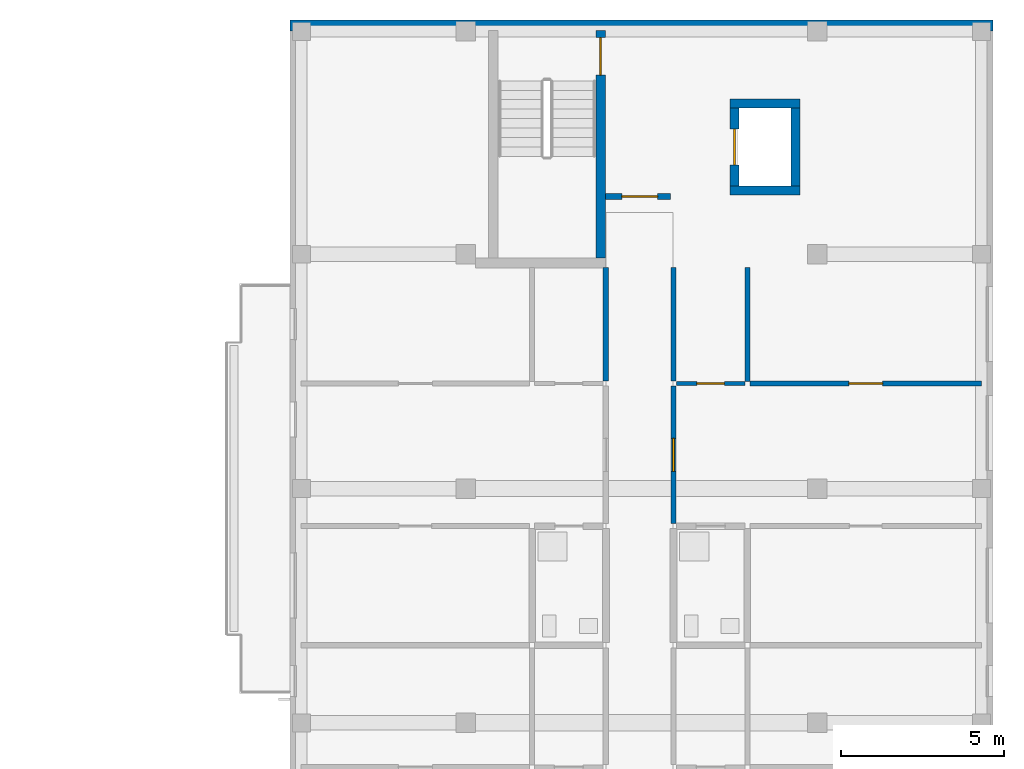
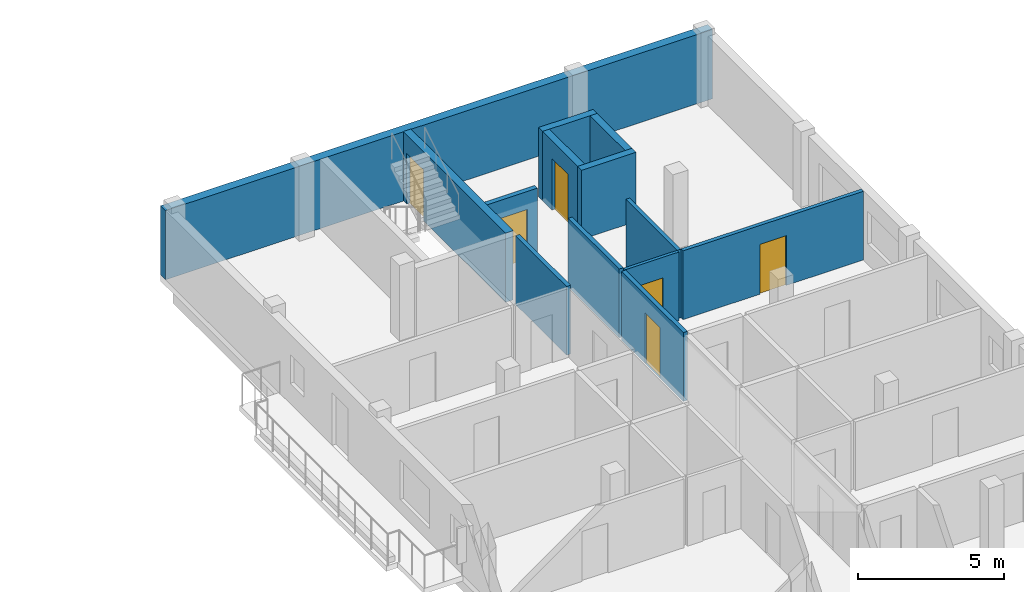
# One storey, part 26 of 41: 13 walls, 6 doors, 6 openings.
"""IFC4 building model written with IfcOpenShell, lengths in metres."""

import ifcopenshell
import ifcopenshell.guid

model = None  # the IFC model being written
_history = None  # IfcOwnerHistory: only IFC2X3 demands one
_inside = {}  # id of a spatial element -> (the spatial element, [elements in it])
_under = {}  # id of a project, library or spatial element -> (it, [spatial elements below it])
_declared = {}  # id of a project -> (the project, [libraries it declares])
_typed = {}  # id of a type object -> (the type object, [elements of that type])
_made_of = {}  # id of a material, layer set ... -> (it, [elements and type objects made of it])


def new_model(schema):
    """Start an empty IFC model of exactly this schema.

    Asked for "IFC4X3", IfcOpenShell would pick the latest addendum, in which some entities
    have other attributes; the version numbers below select the first issue.
    IFC2X3 requires an IfcOwnerHistory on every rooted entity: one is made here for all.
    """
    global model, _history
    if schema == "IFC4X3":
        model = ifcopenshell.file(schema_version=(4, 3, 0, 0))
    else:
        model = ifcopenshell.file(schema=schema)
    _inside.clear()
    _under.clear()
    _declared.clear()
    _typed.clear()
    _made_of.clear()
    _history = None
    if model.schema == "IFC2X3":
        org = make("IfcOrganization", Name="unknown")
        user = make(
            "IfcPersonAndOrganization",
            ThePerson=make("IfcPerson", FamilyName="unknown"),
            TheOrganization=org,
        )
        app = make(
            "IfcApplication",
            ApplicationDeveloper=org,
            Version="unknown",
            ApplicationFullName="unknown",
            ApplicationIdentifier="unknown",
        )
        _history = make(
            "IfcOwnerHistory",
            OwningUser=user,
            OwningApplication=app,
            ChangeAction="ADDED",
            CreationDate=0,
        )
    return model


def make(cls, **values):
    """One entity of the class cls with the attributes given. An attribute that is None is left unset."""
    return model.create_entity(
        cls, **{name: value for name, value in values.items() if value is not None}
    )


def rooted(cls, **values):
    """An entity with a GlobalId (a new one), such as an element, a storey or a relation."""
    return make(cls, GlobalId=ifcopenshell.guid.new(), OwnerHistory=_history, **values)


def si_unit(unit_type, name, prefix=None):
    """IfcSIUnit, for example si_unit("LENGTHUNIT", "METRE", prefix="MILLI")."""
    return make("IfcSIUnit", UnitType=unit_type, Prefix=prefix, Name=name)


def derived_unit(unit_type, elements):
    """IfcDerivedUnit: a product of units, each with its exponent."""
    return make(
        "IfcDerivedUnit",
        Elements=[
            make("IfcDerivedUnitElement", Unit=unit, Exponent=power)
            for unit, power in elements
        ],
        UnitType=unit_type,
    )


def assignment(units):
    """IfcUnitAssignment: the units of a project."""
    return None if units is None else make("IfcUnitAssignment", Units=units)


def point(xyz):
    """IfcCartesianPoint."""
    return None if xyz is None else make("IfcCartesianPoint", Coordinates=xyz)


def direction(xyz):
    """IfcDirection."""
    return None if xyz is None else make("IfcDirection", DirectionRatios=xyz)


def frame(location, z_axis=None, x_axis=None):
    """IfcAxis2Placement3D, a coordinate frame: its origin and axes. An axis left out is left unset."""
    return make(
        "IfcAxis2Placement3D",
        Location=point(location),
        Axis=direction(z_axis),
        RefDirection=direction(x_axis),
    )


def frame_2d(location, x_axis=None):
    """IfcAxis2Placement2D, a coordinate frame in the plane: its origin and x axis."""
    return make(
        "IfcAxis2Placement2D", Location=point(location), RefDirection=direction(x_axis)
    )


def origin():
    """The frame at (0, 0, 0) with its axes left unset."""
    return frame((0.0, 0.0, 0.0))


def place(relative_to, where):
    """IfcLocalPlacement: puts the frame where relative to a parent placement (None: the world)."""
    return make(
        "IfcLocalPlacement", PlacementRelTo=relative_to, RelativePlacement=where
    )


def context(
    kind, dimensions, precision=None, world=None, true_north=None, identifier=None
):
    """IfcGeometricRepresentationContext, for example the 3D "Model" context."""
    return make(
        "IfcGeometricRepresentationContext",
        ContextIdentifier=identifier,
        ContextType=kind,
        CoordinateSpaceDimension=dimensions,
        Precision=precision,
        WorldCoordinateSystem=world,
        TrueNorth=true_north,
    )


def subcontext(parent, identifier, kind, view, scale=None):
    """IfcGeometricRepresentationSubContext, for example "Body" below "Model"."""
    return make(
        "IfcGeometricRepresentationSubContext",
        ContextIdentifier=identifier,
        ContextType=kind,
        ParentContext=parent,
        TargetScale=scale,
        TargetView=view,
    )


def project(units=None, contexts=None):
    """IfcProject with its units and contexts."""
    return rooted(
        "IfcProject",
        Name="project",
        RepresentationContexts=contexts,
        UnitsInContext=assignment(units),
    )


def spatial(cls, under=None, at=None, **own):
    """A site, building, storey or space (cls), placed at a placement, below another one or the project."""
    s = rooted(cls, ObjectPlacement=at, **own)
    if under is not None:
        _under.setdefault(under.id(), (under, []))[1].append(s)
    return s


def profile(cls, at=None, kind="AREA", **sizes):
    """A parametric profile (cls). Its sizes go by their IFC names, for example OverallWidth=200.0."""
    return make(cls, ProfileType=kind, Position=at, **sizes)


def rectangle(**sizes):
    """IfcRectangleProfileDef."""
    return profile("IfcRectangleProfileDef", **sizes)


def extrude(swept, where, along, depth):
    """IfcExtrudedAreaSolid: the profile swept, set in the frame where, extruded along a direction by depth."""
    return make(
        "IfcExtrudedAreaSolid",
        SweptArea=swept,
        Position=where,
        ExtrudedDirection=direction(along),
        Depth=depth,
    )


def shape(context_of_items, identifier, shape_type, items):
    """IfcShapeRepresentation: the items that make up one representation, for example the "Body"."""
    return make(
        "IfcShapeRepresentation",
        ContextOfItems=context_of_items,
        RepresentationIdentifier=identifier,
        RepresentationType=shape_type,
        Items=items,
    )


def material(Name=None, Category=None):
    """IfcMaterial."""
    return make("IfcMaterial", Name=Name, Category=Category)


def layer(
    of_material, thickness, ventilated=None, Name=None, Category=None, Priority=None
):
    """IfcMaterialLayer: one layer of a wall or slab, of a material (None: an air gap)."""
    return make(
        "IfcMaterialLayer",
        Material=of_material,
        LayerThickness=thickness,
        IsVentilated=ventilated,
        Name=Name,
        Category=Category,
        Priority=Priority,
    )


def layer_set(layers, Name=None):
    """IfcMaterialLayerSet."""
    return make("IfcMaterialLayerSet", MaterialLayers=layers, LayerSetName=Name)


def made_of(thing, what):
    """Note that an element or type object is made of a material, layer set ...; save() writes the relation."""
    if what is not None:
        _made_of.setdefault(what.id(), (what, []))[1].append(thing)
    return thing


def type_object(cls, material=None, **own):
    """A type object (cls), such as IfcWallType, which elements share."""
    return made_of(rooted(cls, **own), material)


def element(
    cls,
    number,
    at=None,
    inside=None,
    cuts=None,
    type_object=None,
    material=None,
    context=None,
    identifier="Body",
    shape_type=None,
    held_by="IfcProductDefinitionShape",
    body=None,
    shapes=None,
    **own,
):
    """One element of the class cls, such as IfcWall. Its Tag is "e" and its number.

    at: its placement. inside: the storey or other place that contains it. cuts: it is an
    opening in that element (IfcRelVoidsElement). A single representation is given by context,
    identifier, shape_type and body (its items); several are given by shapes. held_by: the class
    of the entity that holds the representations. save() writes the other relations.
    """
    e = rooted(cls, Tag="e%d" % number, ObjectPlacement=at, **own)
    if body is not None:
        shapes = [shape(context, identifier, shape_type, body)]
    if shapes is not None:
        e.Representation = make(held_by, Representations=shapes)
    if inside is not None:
        _inside.setdefault(inside.id(), (inside, []))[1].append(e)
    if cuts is not None:
        rooted(
            "IfcRelVoidsElement", RelatingBuildingElement=cuts, RelatedOpeningElement=e
        )
    if type_object is not None:
        _typed.setdefault(type_object.id(), (type_object, []))[1].append(e)
    return made_of(e, material)


def fill(opening, filler):
    """IfcRelFillsElement: the door or window that sits in an opening."""
    return rooted(
        "IfcRelFillsElement",
        RelatingOpeningElement=opening,
        RelatedBuildingElement=filler,
    )


def aggregate(whole, parts):
    """IfcRelAggregates: a whole, such as a stair, and the parts it consists of."""
    return rooted("IfcRelAggregates", RelatingObject=whole, RelatedObjects=parts)


def save(model, path):
    """Write the relations noted so far, then the file.

    IfcRelAggregates (storeys below a building ...), IfcRelContainedInSpatialStructure (elements
    in a storey), IfcRelDefinesByType, IfcRelAssociatesMaterial and IfcRelDeclares: one each for
    every whole, place, type object, material and project.
    """
    for whole, parts in _under.values():
        aggregate(whole, parts)
    for where, things in _inside.values():
        rooted(
            "IfcRelContainedInSpatialStructure",
            RelatedElements=things,
            RelatingStructure=where,
        )
    for kind, things in _typed.values():
        rooted("IfcRelDefinesByType", RelatedObjects=things, RelatingType=kind)
    for what, things in _made_of.values():
        rooted("IfcRelAssociatesMaterial", RelatedObjects=things, RelatingMaterial=what)
    for by, libraries in _declared.values():
        rooted("IfcRelDeclares", RelatingContext=by, RelatedDefinitions=libraries)
    model.write(path)


model = new_model("IFC4")

# Units and contexts
model_context = context("Model", 3, precision=1e-05, world=origin(), true_north=direction((0.0, 1.0)))
body_context = subcontext(model_context, "Body", "Model", "MODEL_VIEW")
ifc_project = project(units=[si_unit("LENGTHUNIT", "METRE"), si_unit("AREAUNIT", "SQUARE_METRE"), si_unit("VOLUMEUNIT", "CUBIC_METRE"), si_unit("PLANEANGLEUNIT", "RADIAN"), si_unit("MASSUNIT", "GRAM", prefix="KILO"), derived_unit("THERMALTRANSMITTANCEUNIT", [(si_unit("MASSUNIT", "GRAM", prefix="KILO"), 1), (si_unit("TIMEUNIT", "SECOND"), -3), (si_unit("THERMODYNAMICTEMPERATUREUNIT", "KELVIN"), -1)])], contexts=[model_context])

# Site, building, storey
site_placement = place(None, origin())
site = spatial("IfcSite", under=ifc_project, at=site_placement, CompositionType="ELEMENT")
building_placement = place(site_placement, origin())
building = spatial("IfcBuilding", under=site, at=building_placement, Name="Ochrekiln Boulevard Commons", CompositionType="ELEMENT")
storey_placement = place(building_placement, frame((0.0, 0.0, 21.52490234375)))
storey = spatial("IfcBuildingStorey", under=building, at=storey_placement, Name="L06", CompositionType="ELEMENT", Elevation=21.52490234375)

# Walls
ifc_material_1 = material(Name="Iron-spot brown clinker brick masonry ASTM C216 Grade SW", Category="masonry")
ifc_layer_1 = layer(ifc_material_1, 0.340087890625)
ifc_layer_set_1 = layer_set([ifc_layer_1], Name="Iron-spot brown clinker brick masonry ASTM C216 Grade SW")
wall_type_1 = type_object("IfcWallType", Name="WL-EXT-IRON-340", PredefinedType="SOLIDWALL", material=ifc_layer_set_1)
wall_1_placement = place(storey_placement, frame((151.199951171875, 118.6298828125, 0.0), z_axis=(0.0, 0.0, 1.0), x_axis=(1.0, 0.0, 0.0)))
element("IfcWall", 1, at=wall_1_placement, inside=storey, type_object=wall_type_1, Name="Block B L06 N Exterior Wall", PredefinedType="SOLIDWALL", context=body_context, shape_type="SweptSolid", body=[
    extrude(rectangle(XDim=21.60009765625, YDim=0.340087890625, at=frame_2d((10.800048828125, 0.0))), origin(), (0.0, 0.0, 1.0), 2.89013671875),
])
ifc_material_2 = material(Name="Fire-rated Type X gypsum board on steel studs", Category="steel")
ifc_layer_2 = layer(ifc_material_2, 0.1650390625)
ifc_layer_set_2 = layer_set([ifc_layer_2], Name="Fire-rated Type X gypsum board on steel studs")
wall_type_2 = type_object("IfcWallType", Name="WL-PT-CORR-165", PredefinedType="PARTITIONING", material=ifc_layer_set_2)
wall_2_placement = place(storey_placement, frame((160.909912109375, 107.70703125, 0.0), z_axis=(0.0, 0.0, 1.0), x_axis=(0.0, 1.0, 0.0)))
element("IfcWall", 2, at=wall_2_placement, inside=storey, type_object=wall_type_2, Name="L06 Interior Wall W-PC165", PredefinedType="PARTITIONING", context=body_context, shape_type="SweptSolid", body=[
    extrude(rectangle(XDim=3.492919921875, YDim=0.1650390625, at=frame_2d((1.74658203125, 0.0))), origin(), (0.0, 0.0, 1.0), 2.8701171875),
])

# Wall, opening, door
wall_3_placement = place(storey_placement, frame((162.989990234375, 103.326904296875, 0.0), z_axis=(0.0, 0.0, 1.0), x_axis=(0.0, 1.0, 0.0)))
wall_3 = element("IfcWall", 3, at=wall_3_placement, inside=storey, type_object=wall_type_2, Name="L06 Interior Wall W-PC165", PredefinedType="PARTITIONING", context=body_context, shape_type="SweptSolid", body=[
    extrude(rectangle(XDim=4.22021484375, YDim=0.1650390625, at=frame_2d((2.110107421875, 0.0))), origin(), (0.0, 0.0, 1.0), 2.8701171875),
])
opening_1_placement = place(wall_3_placement, frame((1.60498046875, 0.0, 0.0)))
opening_1 = element("IfcOpeningElement", 4, at=opening_1_placement, cuts=wall_3, Name="Opening D-L06-819", PredefinedType="OPENING", context=body_context, shape_type="SweptSolid", body=[
    extrude(rectangle(XDim=1.010009765625, YDim=2.110107421875, at=frame_2d((0.5048828125, 1.05517578125))), frame((0.0, 0.092529296875, 0.0), z_axis=(0.0, -1.0, 0.0), x_axis=(1.0, 0.0, 0.0)), (0.0, 0.0, 1.0), 0.18505859375),
])
ifc_material_3 = material(Name="Solid core architectural oak door leaf")
door_type_1 = type_object("IfcDoorType", Name="DR-INT-APT-101", OperationType="NOTDEFINED", PredefinedType="DOOR", material=ifc_material_3)
door_1_placement = place(opening_1_placement, frame((1.010009765625, 0.0, 0.0), z_axis=(0.0, 0.0, 1.0), x_axis=(-1.0, 0.0, 0.0)))
door_1 = element("IfcDoor", 5, at=door_1_placement, inside=storey, type_object=door_type_1, Name="L06 Interior Door to Two-Bedroom Apartment Living Room", OperationType="SINGLE_SWING_LEFT", OverallHeight=2.110107421875, OverallWidth=1.010009765625, PredefinedType="DOOR", context=body_context, shape_type="SweptSolid", body=[
    extrude(rectangle(XDim=1.010009765625, YDim=2.110107421875, at=frame_2d((0.5048828125, 1.05517578125))), frame((0.0, 0.02490234375, 0.0), z_axis=(0.0, -1.0, 0.0), x_axis=(1.0, 0.0, 0.0)), (0.0, 0.0, 1.0), 0.050048828125),
])
fill(opening_1, door_1)

# Wall
wall_4_placement = place(storey_placement, frame((162.989990234375, 107.70703125, 0.0), z_axis=(0.0, 0.0, 1.0), x_axis=(0.0, 1.0, 0.0)))
element("IfcWall", 6, at=wall_4_placement, inside=storey, type_object=wall_type_2, Name="L06 Interior Wall W-PC165", PredefinedType="PARTITIONING", context=body_context, shape_type="SweptSolid", body=[
    extrude(rectangle(XDim=3.492919921875, YDim=0.1650390625, at=frame_2d((1.74658203125, 0.0))), origin(), (0.0, 0.0, 1.0), 2.8701171875),
])

# Wall, opening, door
ifc_layer_3 = layer(ifc_material_2, 0.18994140625)
ifc_layer_set_3 = layer_set([ifc_layer_3], Name="Fire-rated Type X gypsum board on steel studs")
wall_type_3 = type_object("IfcWallType", Name="WL-PT-LBY-190", PredefinedType="PARTITIONING", material=ifc_layer_set_3)
wall_5_placement = place(storey_placement, frame((160.89990234375, 113.3798828125, 0.0), z_axis=(0.0, 0.0, 1.0), x_axis=(1.0, 0.0, 0.0)))
wall_5 = element("IfcWall", 7, at=wall_5_placement, inside=storey, type_object=wall_type_3, Name="L06 Interior Wall W-PL190", PredefinedType="PARTITIONING", context=body_context, shape_type="SweptSolid", body=[
    extrude(rectangle(XDim=2.0, YDim=0.18994140625, at=frame_2d((1.0, 0.0))), origin(), (0.0, 0.0, 1.0), 2.8701171875),
])
opening_2_placement = place(wall_5_placement, frame((0.5, 0.0, 0.0)))
opening_2 = element("IfcOpeningElement", 8, at=opening_2_placement, cuts=wall_5, Name="Opening D-L06-812", PredefinedType="OPENING", context=body_context, shape_type="SweptSolid", body=[
    extrude(rectangle(XDim=1.10009765625, YDim=2.1201171875, at=frame_2d((0.550048828125, 1.06005859375))), frame((0.0, 0.10498046875, 0.0), z_axis=(0.0, -1.0, 0.0), x_axis=(1.0, 0.0, 0.0)), (0.0, 0.0, 1.0), 0.2099609375),
])
ifc_material_4 = material(Name="Hollow metal fire-rated steel door assembly", Category="steel")
door_type_2 = type_object("IfcDoorType", Name="DR-LOBBY-60", OperationType="NOTDEFINED", PredefinedType="DOOR", material=ifc_material_4)
door_2_placement = place(opening_2_placement, origin())
door_2 = element("IfcDoor", 9, at=door_2_placement, inside=storey, type_object=door_type_2, Name="L06 Interior Door to Fire Service Access Elevator Lobby", OperationType="SINGLE_SWING_RIGHT", OverallHeight=2.1201171875, OverallWidth=1.10009765625, PredefinedType="DOOR", context=body_context, shape_type="SweptSolid", body=[
    extrude(rectangle(XDim=1.10009765625, YDim=2.1201171875, at=frame_2d((0.550048828125, 1.06005859375))), frame((0.0, 0.02490234375, 0.0), z_axis=(0.0, -1.0, 0.0), x_axis=(1.0, 0.0, 0.0)), (0.0, 0.0, 1.0), 0.050048828125),
])
fill(opening_2, door_2)

ifc_layer_4 = layer(ifc_material_2, 0.1201171875)
ifc_layer_set_4 = layer_set([ifc_layer_4], Name="Fire-rated Type X gypsum board on steel studs")
wall_type_4 = type_object("IfcWallType", Name="WL-PT-LGT-120", PredefinedType="PARTITIONING", material=ifc_layer_set_4)
wall_6_placement = place(storey_placement, frame((163.072998046875, 107.626953125, 0.0), z_axis=(0.0, 0.0, 1.0), x_axis=(1.0, 0.0, 0.0)))
wall_6 = element("IfcWall", 10, at=wall_6_placement, inside=storey, type_object=wall_type_4, Name="L06 Interior Wall W-PL120", PredefinedType="PARTITIONING", context=body_context, shape_type="SweptSolid", body=[
    extrude(rectangle(XDim=2.10693359375, YDim=0.1201171875, at=frame_2d((1.053466796875, 0.0))), origin(), (0.0, 0.0, 1.0), 2.8701171875),
])
opening_3_placement = place(wall_6_placement, frame((0.632080078125, 0.0, 0.0)))
opening_3 = element("IfcOpeningElement", 11, at=opening_3_placement, cuts=wall_6, Name="Opening D-L06-841", PredefinedType="OPENING", context=body_context, shape_type="SweptSolid", body=[
    extrude(rectangle(XDim=0.85009765625, YDim=2.010009765625, at=frame_2d((0.425048828125, 1.0048828125))), frame((0.0, 0.070068359375, 0.0), z_axis=(0.0, -1.0, 0.0), x_axis=(1.0, 0.0, 0.0)), (0.0, 0.0, 1.0), 0.14013671875),
])
door_type_3 = type_object("IfcDoorType", Name="DR-INT-KIT-085", OperationType="NOTDEFINED", PredefinedType="DOOR", material=ifc_material_3)
door_3_placement = place(opening_3_placement, origin())
door_3 = element("IfcDoor", 12, at=door_3_placement, inside=storey, type_object=door_type_3, Name="L06 Interior Door to Apartment Kitchen", OperationType="SINGLE_SWING_LEFT", OverallHeight=2.010009765625, OverallWidth=0.85009765625, PredefinedType="DOOR", context=body_context, shape_type="SweptSolid", body=[
    extrude(rectangle(XDim=0.85009765625, YDim=2.010009765625, at=frame_2d((0.425048828125, 1.0048828125))), frame((0.0, 0.02490234375, 0.0), z_axis=(0.0, -1.0, 0.0), x_axis=(1.0, 0.0, 0.0)), (0.0, 0.0, 1.0), 0.050048828125),
])
fill(opening_3, door_3)

ifc_layer_5 = layer(ifc_material_2, 0.14990234375)
ifc_layer_set_5 = layer_set([ifc_layer_5], Name="Fire-rated Type X gypsum board on steel studs")
wall_type_5 = type_object("IfcWallType", Name="WL-PT-STD-150", PredefinedType="PARTITIONING", material=ifc_layer_set_5)
wall_7_placement = place(storey_placement, frame((165.340087890625, 107.626953125, 0.0), z_axis=(0.0, 0.0, 1.0), x_axis=(1.0, 0.0, 0.0)))
wall_7 = element("IfcWall", 13, at=wall_7_placement, inside=storey, type_object=wall_type_5, Name="L06 Interior Wall W-PS150", PredefinedType="PARTITIONING", context=body_context, shape_type="SweptSolid", body=[
    extrude(rectangle(XDim=7.119873046875, YDim=0.14990234375, at=frame_2d((3.56005859375, 0.0))), origin(), (0.0, 0.0, 1.0), 2.8701171875),
])
opening_4_placement = place(wall_7_placement, frame((3.034912109375, 0.0, 0.0)))
opening_4 = element("IfcOpeningElement", 14, at=opening_4_placement, cuts=wall_7, Name="Opening D-L06-843", PredefinedType="OPENING", context=body_context, shape_type="SweptSolid", body=[
    extrude(rectangle(XDim=1.0400390625, YDim=2.080078125, at=frame_2d((0.52001953125, 1.0400390625))), frame((0.0, 0.0849609375, 0.0), z_axis=(0.0, -1.0, 0.0), x_axis=(1.0, 0.0, 0.0)), (0.0, 0.0, 1.0), 0.169921875),
])
door_type_4 = type_object("IfcDoorType", Name="DR-INT-BED-104", OperationType="NOTDEFINED", PredefinedType="DOOR", material=ifc_material_3)
door_4_placement = place(opening_4_placement, origin())
door_4 = element("IfcDoor", 15, at=door_4_placement, inside=storey, type_object=door_type_4, Name="L06 Interior Door to Secondary Apartment Bedroom", OperationType="SINGLE_SWING_LEFT", OverallHeight=2.080078125, OverallWidth=1.0400390625, PredefinedType="DOOR", context=body_context, shape_type="SweptSolid", body=[
    extrude(rectangle(XDim=1.0400390625, YDim=2.080078125, at=frame_2d((0.52001953125, 1.0400390625))), frame((0.0, 0.02490234375, 0.0), z_axis=(0.0, -1.0, 0.0), x_axis=(1.0, 0.0, 0.0)), (0.0, 0.0, 1.0), 0.050048828125),
])
fill(opening_4, door_4)

# Walls
wall_8_placement = place(storey_placement, frame((165.260009765625, 107.68701171875, 0.0), z_axis=(0.0, 0.0, 1.0), x_axis=(0.0, 1.0, 0.0)))
element("IfcWall", 16, at=wall_8_placement, inside=storey, type_object=wall_type_5, Name="L06 Interior Wall W-PS150", PredefinedType="PARTITIONING", context=body_context, shape_type="SweptSolid", body=[
    extrude(rectangle(XDim=3.512939453125, YDim=0.14990234375, at=frame_2d((1.75634765625, 0.0))), origin(), (0.0, 0.0, 1.0), 2.8701171875),
])
ifc_material_5 = material(Name="Concrete C40/50", Category="concrete")
ifc_layer_6 = layer(ifc_material_5, 0.27490234375)
ifc_layer_set_6 = layer_set([ifc_layer_6], Name="Concrete C40/50")
wall_type_6 = type_object("IfcWallType", Name="WL-SH-275", PredefinedType="SHEAR", material=ifc_layer_set_6)
for number, where, z_axis, x_axis, name in (
    (17, (164.72509765625, 113.5625, 0.0), (0.0, 0.0, 1.0), (1.0, 0.0, 0.0), "Elevator FF-B2 L06 Hoistway Shear Wall"),
    (18, (164.72509765625, 116.237548828125, 0.0), (0.0, 0.0, 1.0), (1.0, 0.0, 0.0), "Elevator FF-B2 L06 Hoistway Shear Wall"),
):
    element("IfcWall", number, at=place(storey_placement, frame(where, z_axis=z_axis, x_axis=x_axis)), inside=storey, type_object=wall_type_6, Name=name, PredefinedType="SHEAR", context=body_context, shape_type="SweptSolid", body=[
        extrude(rectangle(XDim=2.14990234375, YDim=0.27490234375, at=frame_2d((1.074951171875, 0.0))), origin(), (0.0, 0.0, 1.0), 2.89013671875),
    ])

# Wall, opening, door
wall_9_placement = place(storey_placement, frame((164.862548828125, 113.699951171875, 0.0), z_axis=(0.0, 0.0, 1.0), x_axis=(0.0, 1.0, 0.0)))
wall_9 = element("IfcWall", 19, at=wall_9_placement, inside=storey, type_object=wall_type_6, Name="Elevator FF-B2 L06 Hoistway Shear Wall", PredefinedType="SHEAR", context=body_context, shape_type="SweptSolid", body=[
    extrude(rectangle(XDim=2.400146484375, YDim=0.27490234375, at=frame_2d((1.2001953125, 0.0))), origin(), (0.0, 0.0, 1.0), 2.89013671875),
])
opening_5_placement = place(wall_9_placement, frame((0.64990234375, 0.0, 0.0)))
opening_5 = element("IfcOpeningElement", 20, at=opening_5_placement, cuts=wall_9, Name="Opening LD-FF-B2-L06", PredefinedType="OPENING", context=body_context, shape_type="SweptSolid", body=[
    extrude(rectangle(XDim=1.10009765625, YDim=2.14990234375, at=frame_2d((0.550048828125, 1.074951171875))), frame((0.0, 0.1474609375, 0.0), z_axis=(0.0, -1.0, 0.0), x_axis=(1.0, 0.0, 0.0)), (0.0, 0.0, 1.0), 0.294921875),
])
ifc_material_6 = material(Name="Brushed stainless steel 316 elevator cab and doors", Category="steel")
door_type_5 = type_object("IfcDoorType", Name="DR-LIFT-LD90", OperationType="SLIDING_TO_LEFT", PredefinedType="DOOR", material=ifc_material_6)
door_5_placement = place(opening_5_placement, origin())
door_5 = element("IfcDoor", 21, at=door_5_placement, inside=storey, type_object=door_type_5, Name="Elevator FF-B2 L06 Sliding Landing Door LD-FF-B2-L06", OperationType="SLIDING_TO_LEFT", OverallHeight=2.14990234375, OverallWidth=1.10009765625, PredefinedType="DOOR", context=body_context, shape_type="SweptSolid", body=[
    extrude(rectangle(XDim=1.10009765625, YDim=2.14990234375, at=frame_2d((0.550048828125, 1.074951171875))), frame((0.0, 0.02490234375, 0.0), z_axis=(0.0, -1.0, 0.0), x_axis=(1.0, 0.0, 0.0)), (0.0, 0.0, 1.0), 0.050048828125),
])
fill(opening_5, door_5)

# Wall
wall_10_placement = place(storey_placement, frame((166.737548828125, 113.699951171875, 0.0), z_axis=(0.0, 0.0, 1.0), x_axis=(0.0, 1.0, 0.0)))
element("IfcWall", 22, at=wall_10_placement, inside=storey, type_object=wall_type_6, Name="Elevator FF-B2 L06 Hoistway Shear Wall", PredefinedType="SHEAR", context=body_context, shape_type="SweptSolid", body=[
    extrude(rectangle(XDim=2.400146484375, YDim=0.27490234375, at=frame_2d((1.2001953125, 0.0))), origin(), (0.0, 0.0, 1.0), 2.89013671875),
])

# Wall, opening, door
ifc_layer_7 = layer(ifc_material_5, 0.300048828125)
ifc_layer_set_7 = layer_set([ifc_layer_7], Name="Concrete C40/50")
wall_type_7 = type_object("IfcWallType", Name="WL-SH-300", PredefinedType="SHEAR", material=ifc_layer_set_7)
wall_11_placement = place(storey_placement, frame((160.75, 111.47998046875, 0.0), z_axis=(0.0, 0.0, 1.0), x_axis=(0.0, 1.0, 0.0)))
wall_11 = element("IfcWall", 23, at=wall_11_placement, inside=storey, type_object=wall_type_7, Name="Stair ST-B2 L06 Core Shear Wall E", PredefinedType="SHEAR", context=body_context, shape_type="SweptSolid", body=[
    extrude(rectangle(XDim=7.0, YDim=0.300048828125, at=frame_2d((3.5, 0.0))), origin(), (0.0, 0.0, 1.0), 2.89013671875),
])
opening_6_placement = place(wall_11_placement, frame((5.625, 0.0, 0.0)))
opening_6 = element("IfcOpeningElement", 24, at=opening_6_placement, cuts=wall_11, Name="Opening D-L06-ST-B2", PredefinedType="OPENING", context=body_context, shape_type="SweptSolid", body=[
    extrude(rectangle(XDim=1.14990234375, YDim=2.1201171875, at=frame_2d((0.574951171875, 1.06005859375))), frame((0.0, 0.159912109375, 0.0), z_axis=(0.0, -1.0, 0.0), x_axis=(1.0, 0.0, 0.0)), (0.0, 0.0, 1.0), 0.320068359375),
])
door_type_6 = type_object("IfcDoorType", Name="DR-STAIR-90", OperationType="NOTDEFINED", PredefinedType="DOOR", material=ifc_material_4)
door_6_placement = place(opening_6_placement, origin())
door_6 = element("IfcDoor", 25, at=door_6_placement, inside=storey, type_object=door_type_6, Name="Enclosed Exit Stair ST-B2 L06 Rated Door", OperationType="SINGLE_SWING_RIGHT", OverallHeight=2.1201171875, OverallWidth=1.14990234375, PredefinedType="DOOR", context=body_context, shape_type="SweptSolid", body=[
    extrude(rectangle(XDim=1.14990234375, YDim=2.1201171875, at=frame_2d((0.574951171875, 1.06005859375))), frame((0.0, 0.02490234375, 0.0), z_axis=(0.0, -1.0, 0.0), x_axis=(1.0, 0.0, 0.0)), (0.0, 0.0, 1.0), 0.050048828125),
])
fill(opening_6, door_6)

save(model, "model.ifc")
